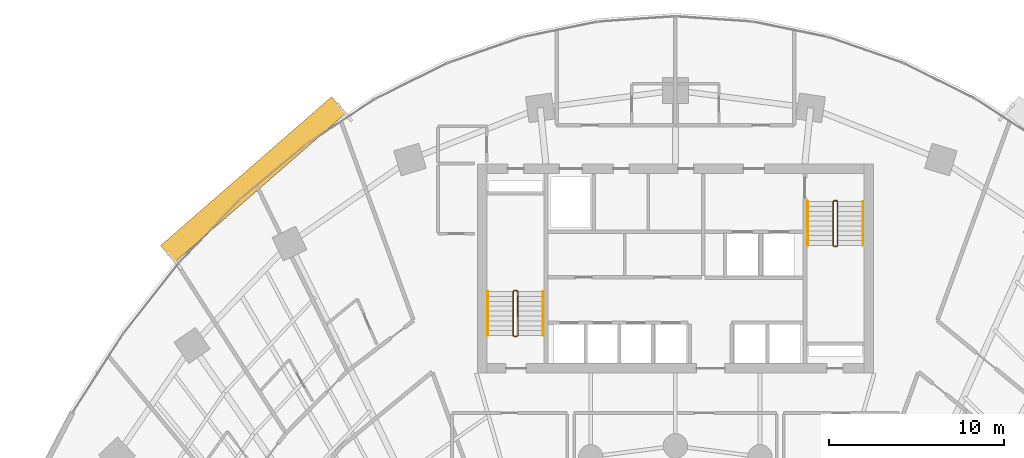
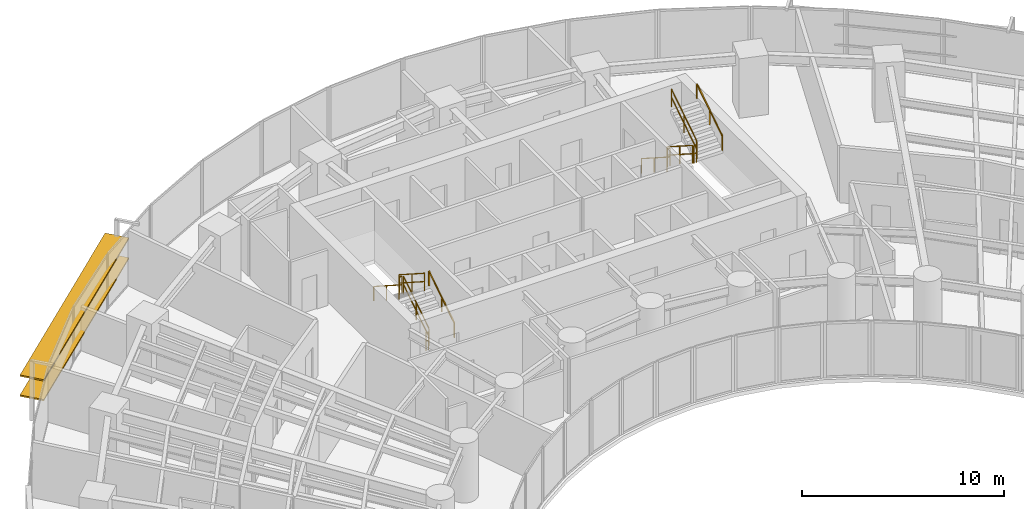
# One storey, part 16 of 17: 12 railings, 2 shading devices.
"""IFC4 building model written with IfcOpenShell, lengths in metres."""

from ifc_helpers import new_model, si_unit, direction, frame, origin, origin_2d, place, context, subcontext, project, spatial, rectangle, extrude, source, transform, mapped, material, material_profile, profile_set, type_object, type_shapes, element, save


model = new_model("IFC4")

# Units and contexts
model_context = context("Model", 3, precision=1e-05, world=origin(), true_north=direction((0.0, 1.0)))
body_context = subcontext(model_context, "Body", "Model", "MODEL_VIEW")
ifc_project = project(units=[si_unit("LENGTHUNIT", "METRE"), si_unit("AREAUNIT", "SQUARE_METRE"), si_unit("VOLUMEUNIT", "CUBIC_METRE"), si_unit("PLANEANGLEUNIT", "RADIAN"), si_unit("MASSUNIT", "GRAM", prefix="KILO")], contexts=[model_context])

# Site, building, storey
site_placement = place(None, origin())
site = spatial("IfcSite", under=ifc_project, at=site_placement, CompositionType="ELEMENT")
building_placement = place(site_placement, origin())
building = spatial("IfcBuilding", under=site, at=building_placement, Name="Breltana Convention Tower", CompositionType="ELEMENT")
storey_placement = place(building_placement, frame((0.0, 0.0, 71.39990234375)))
storey = spatial("IfcBuildingStorey", under=building, at=storey_placement, Name="L16", CompositionType="ELEMENT", Elevation=71.39990234375)

# Railings
ifc_material_1 = material(Name="Steel S275 Painted", Category="steel")
railing_type_1 = type_object("IfcRailingType", Name="RL-STAIR-GUARD-1100", PredefinedType="GUARDRAIL", material=ifc_material_1)
railing_1_placement = place(storey_placement, frame((38.9599609375, 62.360107421875, 0.18017578125)))
element("IfcRailing", 1, at=railing_1_placement, inside=storey, type_object=railing_type_1, Name="L16 ST-1 stair guard 1", PredefinedType="GUARDRAIL", context=body_context, shape_type="SweptSolid", body=[
    extrude(rectangle(XDim=0.048095703125, YDim=0.048095703125, at=origin_2d()), frame((0.0, 0.0, 1.076171875), z_axis=(0.0, 0.841175827307, 0.540761710511), x_axis=(-1.0, 0.0, 0.0)), (0.0, 0.0, 1.0), 2.99560546875),
    extrude(rectangle(XDim=0.048095703125, YDim=0.048095703125, at=origin_2d()), frame((0.0, 0.0, 0.572021484375), z_axis=(0.0, 0.841175827307, 0.540761710511), x_axis=(-1.0, 0.0, 0.0)), (0.0, 0.0, 1.0), 2.99560546875),
    extrude(rectangle(XDim=0.0419921875, YDim=0.0419921875, at=origin_2d()), origin(), (0.0, 0.0, 1.0), 1.052001953125),
    extrude(rectangle(XDim=0.0419921875, YDim=0.0419921875, at=origin_2d()), frame((0.0, 1.259765625, 0.81005859375)), (0.0, 0.0, 1.0), 1.052001953125),
    extrude(rectangle(XDim=0.0419921875, YDim=0.0419921875, at=origin_2d()), frame((0.0, 2.519775390625, 1.619873046875)), (0.0, 0.0, 1.0), 1.052001953125),
])
railing_2_placement = place(storey_placement, frame((38.909912109375, 64.929931640625, 1.800048828125)))
element("IfcRailing", 2, at=railing_2_placement, inside=storey, type_object=railing_type_1, Name="L16 ST-1 stair guard 2", PredefinedType="GUARDRAIL", context=body_context, shape_type="SweptSolid", body=[
    extrude(rectangle(XDim=0.048095703125, YDim=0.048095703125, at=origin_2d()), frame((0.0, 0.0, 1.076171875), z_axis=(-1.0, 0.0, 0.0), x_axis=(0.0, -1.0, 0.0)), (0.0, 0.0, 1.0), 0.14990234375),
    extrude(rectangle(XDim=0.048095703125, YDim=0.048095703125, at=origin_2d()), frame((0.0, 0.0, 0.572021484375), z_axis=(-1.0, 0.0, 0.0), x_axis=(0.0, -1.0, 0.0)), (0.0, 0.0, 1.0), 0.14990234375),
    extrude(rectangle(XDim=0.0419921875, YDim=0.0419921875, at=origin_2d()), origin(), (0.0, 0.0, 1.0), 1.052001953125),
    extrude(rectangle(XDim=0.0419921875, YDim=0.0419921875, at=origin_2d()), frame((-0.14990234375, 0.0, 0.0)), (0.0, 0.0, 1.0), 1.052001953125),
])
railing_3_placement = place(storey_placement, frame((38.7099609375, 64.8798828125, 1.97998046875)))
element("IfcRailing", 3, at=railing_3_placement, inside=storey, type_object=railing_type_1, Name="L16 ST-1 stair guard 3", PredefinedType="GUARDRAIL", context=body_context, shape_type="SweptSolid", body=[
    extrude(rectangle(XDim=0.048095703125, YDim=0.048095703125, at=origin_2d()), frame((0.0, 0.0, 1.076171875), z_axis=(0.0, -0.841138753965, 0.540819375188), x_axis=(1.0, 0.0, 0.0)), (0.0, 0.0, 1.0), 2.99560546875),
    extrude(rectangle(XDim=0.048095703125, YDim=0.048095703125, at=origin_2d()), frame((0.0, 0.0, 0.572021484375), z_axis=(0.0, -0.841138753965, 0.540819375188), x_axis=(1.0, 0.0, 0.0)), (0.0, 0.0, 1.0), 2.99560546875),
    extrude(rectangle(XDim=0.0419921875, YDim=0.0419921875, at=origin_2d()), origin(), (0.0, 0.0, 1.0), 1.052001953125),
    extrude(rectangle(XDim=0.0419921875, YDim=0.0419921875, at=origin_2d()), frame((0.0, -1.259765625, 0.81005859375)), (0.0, 0.0, 1.0), 1.052001953125),
    extrude(rectangle(XDim=0.0419921875, YDim=0.0419921875, at=origin_2d()), frame((0.0, -2.519775390625, 1.6201171875)), (0.0, 0.0, 1.0), 1.052001953125),
])
railing_4_placement = place(storey_placement, frame((38.909912109375, 62.31005859375, 0.0)))
element("IfcRailing", 4, at=railing_4_placement, inside=storey, type_object=railing_type_1, Name="L16 ST-1 stair guard 4", PredefinedType="GUARDRAIL", context=body_context, shape_type="SweptSolid", body=[
    extrude(rectangle(XDim=0.048095703125, YDim=0.048095703125, at=origin_2d()), frame((0.0, 0.0, 1.076171875), z_axis=(-1.0, 0.0, 0.0), x_axis=(0.0, -1.0, 0.0)), (0.0, 0.0, 1.0), 0.14990234375),
    extrude(rectangle(XDim=0.048095703125, YDim=0.048095703125, at=origin_2d()), frame((0.0, 0.0, 0.572021484375), z_axis=(-1.0, 0.0, 0.0), x_axis=(0.0, -1.0, 0.0)), (0.0, 0.0, 1.0), 0.14990234375),
    extrude(rectangle(XDim=0.0419921875, YDim=0.0419921875, at=origin_2d()), origin(), (0.0, 0.0, 1.0), 1.052001953125),
    extrude(rectangle(XDim=0.0419921875, YDim=0.0419921875, at=origin_2d()), frame((-0.14990234375, 0.0, 0.0)), (0.0, 0.0, 1.0), 1.052001953125),
])
railing_5_placement = place(storey_placement, frame((57.0400390625, 70.0400390625, 0.18017578125)))
element("IfcRailing", 5, at=railing_5_placement, inside=storey, type_object=railing_type_1, Name="L16 ST-2 stair guard 1", PredefinedType="GUARDRAIL", context=body_context, shape_type="SweptSolid", body=[
    extrude(rectangle(XDim=0.048095703125, YDim=0.048095703125, at=origin_2d()), frame((0.0, 0.0, 1.076171875), z_axis=(0.0, -0.841199657755, 0.540724639528), x_axis=(1.0, 0.0, 0.0)), (0.0, 0.0, 1.0), 2.995849609375),
    extrude(rectangle(XDim=0.048095703125, YDim=0.048095703125, at=origin_2d()), frame((0.0, 0.0, 0.572021484375), z_axis=(0.0, -0.841199657755, 0.540724639528), x_axis=(1.0, 0.0, 0.0)), (0.0, 0.0, 1.0), 2.995849609375),
    extrude(rectangle(XDim=0.0419921875, YDim=0.0419921875, at=origin_2d()), origin(), (0.0, 0.0, 1.0), 1.052001953125),
    extrude(rectangle(XDim=0.0419921875, YDim=0.0419921875, at=origin_2d()), frame((0.0, -1.260009765625, 0.81005859375)), (0.0, 0.0, 1.0), 1.052001953125),
    extrude(rectangle(XDim=0.0419921875, YDim=0.0419921875, at=origin_2d()), frame((0.0, -2.52001953125, 1.619873046875)), (0.0, 0.0, 1.0), 1.052001953125),
])
railing_6_placement = place(storey_placement, frame((57.090087890625, 67.469970703125, 1.800048828125)))
element("IfcRailing", 6, at=railing_6_placement, inside=storey, type_object=railing_type_1, Name="L16 ST-2 stair guard 2", PredefinedType="GUARDRAIL", context=body_context, shape_type="SweptSolid", body=[
    extrude(rectangle(XDim=0.048095703125, YDim=0.048095703125, at=origin_2d()), frame((0.0, 0.0, 1.076171875), z_axis=(1.0, 0.0, 0.0), x_axis=(0.0, 1.0, 0.0)), (0.0, 0.0, 1.0), 0.14990234375),
    extrude(rectangle(XDim=0.048095703125, YDim=0.048095703125, at=origin_2d()), frame((0.0, 0.0, 0.572021484375), z_axis=(1.0, 0.0, 0.0), x_axis=(0.0, 1.0, 0.0)), (0.0, 0.0, 1.0), 0.14990234375),
    extrude(rectangle(XDim=0.0419921875, YDim=0.0419921875, at=origin_2d()), origin(), (0.0, 0.0, 1.0), 1.052001953125),
    extrude(rectangle(XDim=0.0419921875, YDim=0.0419921875, at=origin_2d()), frame((0.14990234375, 0.0, 0.0)), (0.0, 0.0, 1.0), 1.052001953125),
])
railing_7_placement = place(storey_placement, frame((57.2900390625, 67.52001953125, 1.97998046875)))
element("IfcRailing", 7, at=railing_7_placement, inside=storey, type_object=railing_type_1, Name="L16 ST-2 stair guard 3", PredefinedType="GUARDRAIL", context=body_context, shape_type="SweptSolid", body=[
    extrude(rectangle(XDim=0.048095703125, YDim=0.048095703125, at=origin_2d()), frame((0.0, 0.0, 1.076171875), z_axis=(0.0, 0.841162588446, 0.540782303519), x_axis=(-1.0, 0.0, 0.0)), (0.0, 0.0, 1.0), 2.995849609375),
    extrude(rectangle(XDim=0.048095703125, YDim=0.048095703125, at=origin_2d()), frame((0.0, 0.0, 0.572021484375), z_axis=(0.0, 0.841162588446, 0.540782303519), x_axis=(-1.0, 0.0, 0.0)), (0.0, 0.0, 1.0), 2.995849609375),
    extrude(rectangle(XDim=0.0419921875, YDim=0.0419921875, at=origin_2d()), origin(), (0.0, 0.0, 1.0), 1.052001953125),
    extrude(rectangle(XDim=0.0419921875, YDim=0.0419921875, at=origin_2d()), frame((0.0, 1.260009765625, 0.81005859375)), (0.0, 0.0, 1.0), 1.052001953125),
    extrude(rectangle(XDim=0.0419921875, YDim=0.0419921875, at=origin_2d()), frame((0.0, 2.52001953125, 1.6201171875)), (0.0, 0.0, 1.0), 1.052001953125),
])
railing_8_placement = place(storey_placement, frame((57.090087890625, 70.090087890625, 0.0)))
element("IfcRailing", 8, at=railing_8_placement, inside=storey, type_object=railing_type_1, Name="L16 ST-2 stair guard 4", PredefinedType="GUARDRAIL", context=body_context, shape_type="SweptSolid", body=[
    extrude(rectangle(XDim=0.048095703125, YDim=0.048095703125, at=origin_2d()), frame((0.0, 0.0, 1.076171875), z_axis=(1.0, 0.0, 0.0), x_axis=(0.0, 1.0, 0.0)), (0.0, 0.0, 1.0), 0.14990234375),
    extrude(rectangle(XDim=0.048095703125, YDim=0.048095703125, at=origin_2d()), frame((0.0, 0.0, 0.572021484375), z_axis=(1.0, 0.0, 0.0), x_axis=(0.0, 1.0, 0.0)), (0.0, 0.0, 1.0), 0.14990234375),
    extrude(rectangle(XDim=0.0419921875, YDim=0.0419921875, at=origin_2d()), origin(), (0.0, 0.0, 1.0), 1.052001953125),
    extrude(rectangle(XDim=0.0419921875, YDim=0.0419921875, at=origin_2d()), frame((0.14990234375, 0.0, 0.0)), (0.0, 0.0, 1.0), 1.052001953125),
])
ifc_material_2 = material(Name="Stainless Steel 316L", Category="steel")
railing_type_2 = type_object("IfcRailingType", Name="RL-STAIR-HANDRAIL-900", PredefinedType="HANDRAIL", material=ifc_material_2)
railing_9_placement = place(storey_placement, frame((40.419921875, 62.360107421875, 0.18017578125)))
element("IfcRailing", 9, at=railing_9_placement, inside=storey, type_object=railing_type_2, Name="L16 ST-1 stair handrail 1", PredefinedType="HANDRAIL", context=body_context, shape_type="SweptSolid", body=[
    extrude(rectangle(XDim=0.048095703125, YDim=0.048095703125, at=origin_2d()), frame((0.0, 0.0, 0.8759765625), z_axis=(0.0, 0.841175827307, 0.540761710511), x_axis=(-1.0, 0.0, 0.0)), (0.0, 0.0, 1.0), 2.99560546875),
    extrude(rectangle(XDim=0.0419921875, YDim=0.0419921875, at=origin_2d()), origin(), (0.0, 0.0, 1.0), 0.851806640625),
    extrude(rectangle(XDim=0.0419921875, YDim=0.0419921875, at=origin_2d()), frame((0.0, 1.259765625, 0.81005859375)), (0.0, 0.0, 1.0), 0.851806640625),
    extrude(rectangle(XDim=0.0419921875, YDim=0.0419921875, at=origin_2d()), frame((0.0, 2.519775390625, 1.619873046875)), (0.0, 0.0, 1.0), 0.851806640625),
])
railing_10_placement = place(storey_placement, frame((37.25, 64.8798828125, 1.97998046875)))
element("IfcRailing", 10, at=railing_10_placement, inside=storey, type_object=railing_type_2, Name="L16 ST-1 stair handrail 2", PredefinedType="HANDRAIL", context=body_context, shape_type="SweptSolid", body=[
    extrude(rectangle(XDim=0.048095703125, YDim=0.048095703125, at=origin_2d()), frame((0.0, 0.0, 0.8759765625), z_axis=(0.0, -0.841138753965, 0.540819375188), x_axis=(1.0, 0.0, 0.0)), (0.0, 0.0, 1.0), 2.99560546875),
    extrude(rectangle(XDim=0.0419921875, YDim=0.0419921875, at=origin_2d()), origin(), (0.0, 0.0, 1.0), 0.851806640625),
    extrude(rectangle(XDim=0.0419921875, YDim=0.0419921875, at=origin_2d()), frame((0.0, -1.259765625, 0.81005859375)), (0.0, 0.0, 1.0), 0.851806640625),
    extrude(rectangle(XDim=0.0419921875, YDim=0.0419921875, at=origin_2d()), frame((0.0, -2.519775390625, 1.6201171875)), (0.0, 0.0, 1.0), 0.851806640625),
])
railing_11_placement = place(storey_placement, frame((55.580078125, 70.0400390625, 0.18017578125)))
element("IfcRailing", 11, at=railing_11_placement, inside=storey, type_object=railing_type_2, Name="L16 ST-2 stair handrail 1", PredefinedType="HANDRAIL", context=body_context, shape_type="SweptSolid", body=[
    extrude(rectangle(XDim=0.048095703125, YDim=0.048095703125, at=origin_2d()), frame((0.0, 0.0, 0.8759765625), z_axis=(0.0, -0.841199657755, 0.540724639528), x_axis=(1.0, 0.0, 0.0)), (0.0, 0.0, 1.0), 2.995849609375),
    extrude(rectangle(XDim=0.0419921875, YDim=0.0419921875, at=origin_2d()), origin(), (0.0, 0.0, 1.0), 0.851806640625),
    extrude(rectangle(XDim=0.0419921875, YDim=0.0419921875, at=origin_2d()), frame((0.0, -1.260009765625, 0.81005859375)), (0.0, 0.0, 1.0), 0.851806640625),
    extrude(rectangle(XDim=0.0419921875, YDim=0.0419921875, at=origin_2d()), frame((0.0, -2.52001953125, 1.619873046875)), (0.0, 0.0, 1.0), 0.851806640625),
])
railing_12_placement = place(storey_placement, frame((58.75, 67.52001953125, 1.97998046875)))
element("IfcRailing", 12, at=railing_12_placement, inside=storey, type_object=railing_type_2, Name="L16 ST-2 stair handrail 2", PredefinedType="HANDRAIL", context=body_context, shape_type="SweptSolid", body=[
    extrude(rectangle(XDim=0.048095703125, YDim=0.048095703125, at=origin_2d()), frame((0.0, 0.0, 0.8759765625), z_axis=(0.0, 0.841162588446, 0.540782303519), x_axis=(-1.0, 0.0, 0.0)), (0.0, 0.0, 1.0), 2.995849609375),
    extrude(rectangle(XDim=0.0419921875, YDim=0.0419921875, at=origin_2d()), origin(), (0.0, 0.0, 1.0), 0.851806640625),
    extrude(rectangle(XDim=0.0419921875, YDim=0.0419921875, at=origin_2d()), frame((0.0, 1.260009765625, 0.81005859375)), (0.0, 0.0, 1.0), 0.851806640625),
    extrude(rectangle(XDim=0.0419921875, YDim=0.0419921875, at=origin_2d()), frame((0.0, 2.52001953125, 1.6201171875)), (0.0, 0.0, 1.0), 0.851806640625),
])

# Shading devices
ifc_material_3 = material(Name="Limestone Warm Buff Honed", Category="masonry")
ifc_material_profile = material_profile(ifc_material_3, rectangle(XDim=1.25, YDim=0.090087890625, at=origin_2d()), Name="STN-LVR-1250X90")
ifc_profile_set = profile_set([ifc_material_profile], Name="Limestone Warm Buff Honed")
shading_device_type = type_object("IfcShadingDeviceType", Name="SHD-OUTER-SKIN-LIMESTONE-1250", PredefinedType="JALOUSIE", material=ifc_profile_set)
shared_shape = source(origin(), body_context, "Body", "SweptSolid", [
    extrude(rectangle(XDim=1.25, YDim=0.090087890625, at=origin_2d()), origin(), (0.0, 0.0, 1.0), 12.99462890625),
])
type_shapes(shading_device_type, [shared_shape])
for number, where, z_axis, x_axis, name in (
    (13, (18.9130859375, 67.039794921875, 1.209716796875), (0.754353477941, 0.656468453407, 0.0), (-0.656468453407, 0.754353477941, 0.0), "L16 outer skin warm limestone louvre 1.1"),
    (14, (18.9130859375, 67.039794921875, 2.419189453125), (0.754353477941, 0.656468453407, 0.0), (-0.656468453407, 0.754353477941, 0.0), "L16 outer skin warm limestone louvre 1.2"),
):
    element("IfcShadingDevice", number, at=place(storey_placement, frame(where, z_axis=z_axis, x_axis=x_axis)), inside=storey, type_object=shading_device_type, Name=name, PredefinedType="JALOUSIE", context=body_context, shape_type="MappedRepresentation", body=[
        mapped(shared_shape, transform((0.0, 0.0, 0.0), scale=1.0)),
    ])

save(model, "model.ifc")
